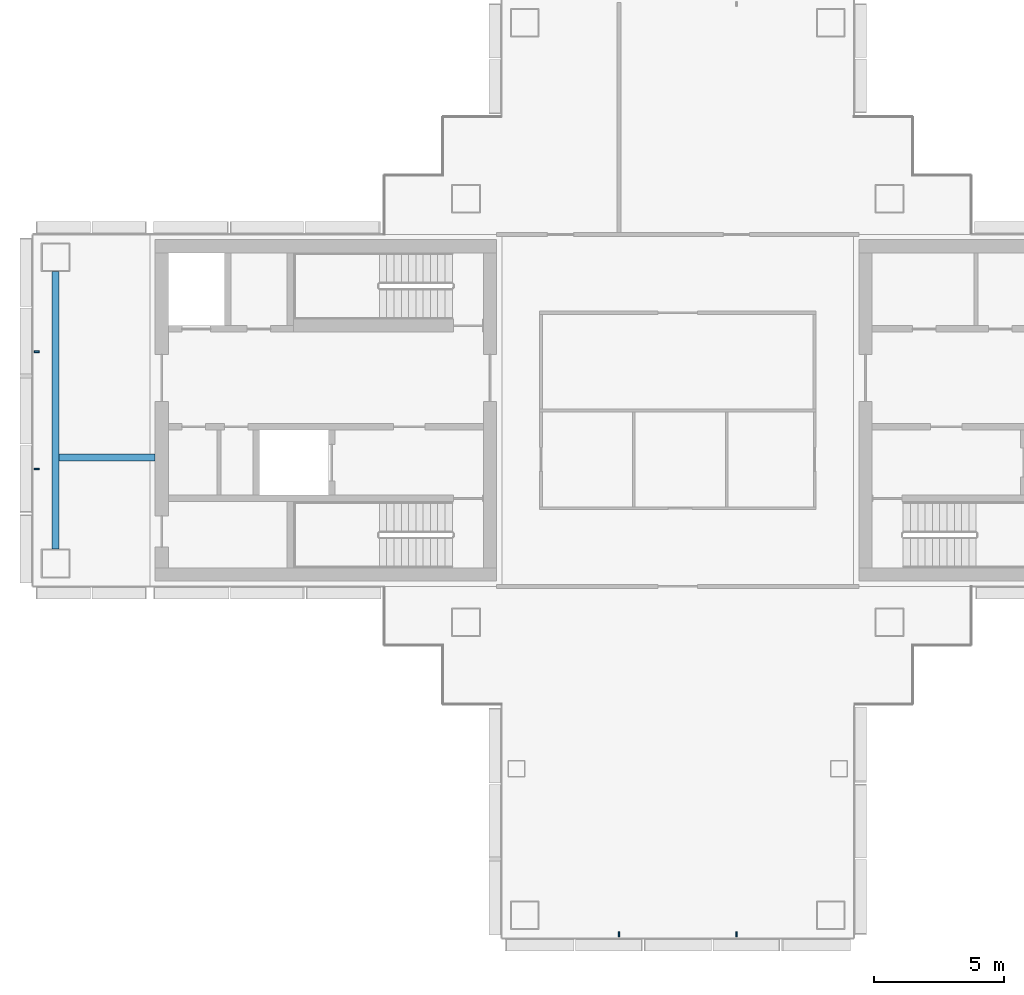
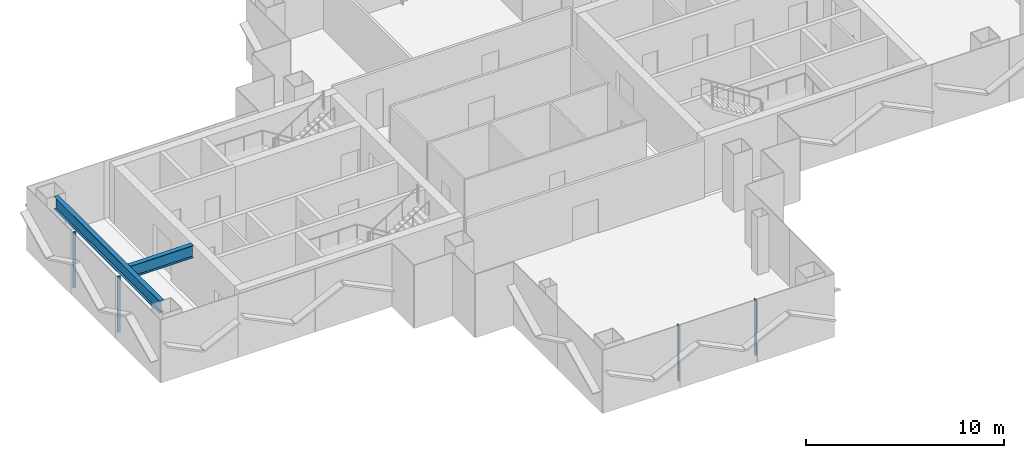
# One storey, part 3 of 16: 4 members, 2 beams, 2 elements without a shape of their own.
"""IFC4 building model written with IfcOpenShell, lengths in metres."""

import ifcopenshell
import ifcopenshell.guid

model = None  # the IFC model being written
_history = None  # IfcOwnerHistory: only IFC2X3 demands one
_inside = {}  # id of a spatial element -> (the spatial element, [elements in it])
_under = {}  # id of a project, library or spatial element -> (it, [spatial elements below it])
_declared = {}  # id of a project -> (the project, [libraries it declares])
_typed = {}  # id of a type object -> (the type object, [elements of that type])
_made_of = {}  # id of a material, layer set ... -> (it, [elements and type objects made of it])


def new_model(schema):
    """Start an empty IFC model of exactly this schema.

    Asked for "IFC4X3", IfcOpenShell would pick the latest addendum, in which some entities
    have other attributes; the version numbers below select the first issue.
    IFC2X3 requires an IfcOwnerHistory on every rooted entity: one is made here for all.
    """
    global model, _history
    if schema == "IFC4X3":
        model = ifcopenshell.file(schema_version=(4, 3, 0, 0))
    else:
        model = ifcopenshell.file(schema=schema)
    _inside.clear()
    _under.clear()
    _declared.clear()
    _typed.clear()
    _made_of.clear()
    _history = None
    if model.schema == "IFC2X3":
        org = make("IfcOrganization", Name="unknown")
        user = make(
            "IfcPersonAndOrganization",
            ThePerson=make("IfcPerson", FamilyName="unknown"),
            TheOrganization=org,
        )
        app = make(
            "IfcApplication",
            ApplicationDeveloper=org,
            Version="unknown",
            ApplicationFullName="unknown",
            ApplicationIdentifier="unknown",
        )
        _history = make(
            "IfcOwnerHistory",
            OwningUser=user,
            OwningApplication=app,
            ChangeAction="ADDED",
            CreationDate=0,
        )
    return model


def make(cls, **values):
    """One entity of the class cls with the attributes given. An attribute that is None is left unset."""
    return model.create_entity(
        cls, **{name: value for name, value in values.items() if value is not None}
    )


def rooted(cls, **values):
    """An entity with a GlobalId (a new one), such as an element, a storey or a relation."""
    return make(cls, GlobalId=ifcopenshell.guid.new(), OwnerHistory=_history, **values)


def si_unit(unit_type, name, prefix=None):
    """IfcSIUnit, for example si_unit("LENGTHUNIT", "METRE", prefix="MILLI")."""
    return make("IfcSIUnit", UnitType=unit_type, Prefix=prefix, Name=name)


def assignment(units):
    """IfcUnitAssignment: the units of a project."""
    return None if units is None else make("IfcUnitAssignment", Units=units)


def point(xyz):
    """IfcCartesianPoint."""
    return None if xyz is None else make("IfcCartesianPoint", Coordinates=xyz)


def direction(xyz):
    """IfcDirection."""
    return None if xyz is None else make("IfcDirection", DirectionRatios=xyz)


def frame(location, z_axis=None, x_axis=None):
    """IfcAxis2Placement3D, a coordinate frame: its origin and axes. An axis left out is left unset."""
    return make(
        "IfcAxis2Placement3D",
        Location=point(location),
        Axis=direction(z_axis),
        RefDirection=direction(x_axis),
    )


def frame_2d(location, x_axis=None):
    """IfcAxis2Placement2D, a coordinate frame in the plane: its origin and x axis."""
    return make(
        "IfcAxis2Placement2D", Location=point(location), RefDirection=direction(x_axis)
    )


def origin():
    """The frame at (0, 0, 0) with its axes left unset."""
    return frame((0.0, 0.0, 0.0))


def origin_2d():
    """The frame at (0, 0) in the plane with its x axis left unset."""
    return frame_2d((0.0, 0.0))


def place(relative_to, where):
    """IfcLocalPlacement: puts the frame where relative to a parent placement (None: the world)."""
    return make(
        "IfcLocalPlacement", PlacementRelTo=relative_to, RelativePlacement=where
    )


def context(
    kind, dimensions, precision=None, world=None, true_north=None, identifier=None
):
    """IfcGeometricRepresentationContext, for example the 3D "Model" context."""
    return make(
        "IfcGeometricRepresentationContext",
        ContextIdentifier=identifier,
        ContextType=kind,
        CoordinateSpaceDimension=dimensions,
        Precision=precision,
        WorldCoordinateSystem=world,
        TrueNorth=true_north,
    )


def subcontext(parent, identifier, kind, view, scale=None):
    """IfcGeometricRepresentationSubContext, for example "Body" below "Model"."""
    return make(
        "IfcGeometricRepresentationSubContext",
        ContextIdentifier=identifier,
        ContextType=kind,
        ParentContext=parent,
        TargetScale=scale,
        TargetView=view,
    )


def project(units=None, contexts=None):
    """IfcProject with its units and contexts."""
    return rooted(
        "IfcProject",
        Name="project",
        RepresentationContexts=contexts,
        UnitsInContext=assignment(units),
    )


def spatial(cls, under=None, at=None, **own):
    """A site, building, storey or space (cls), placed at a placement, below another one or the project."""
    s = rooted(cls, ObjectPlacement=at, **own)
    if under is not None:
        _under.setdefault(under.id(), (under, []))[1].append(s)
    return s


def profile(cls, at=None, kind="AREA", **sizes):
    """A parametric profile (cls). Its sizes go by their IFC names, for example OverallWidth=200.0."""
    return make(cls, ProfileType=kind, Position=at, **sizes)


def rectangle(**sizes):
    """IfcRectangleProfileDef."""
    return profile("IfcRectangleProfileDef", **sizes)


def i_section(**sizes):
    """IfcIShapeProfileDef."""
    return profile("IfcIShapeProfileDef", **sizes)


def extrude(swept, where, along, depth):
    """IfcExtrudedAreaSolid: the profile swept, set in the frame where, extruded along a direction by depth."""
    return make(
        "IfcExtrudedAreaSolid",
        SweptArea=swept,
        Position=where,
        ExtrudedDirection=direction(along),
        Depth=depth,
    )


def shape(context_of_items, identifier, shape_type, items):
    """IfcShapeRepresentation: the items that make up one representation, for example the "Body"."""
    return make(
        "IfcShapeRepresentation",
        ContextOfItems=context_of_items,
        RepresentationIdentifier=identifier,
        RepresentationType=shape_type,
        Items=items,
    )


def material(Name=None, Category=None):
    """IfcMaterial."""
    return make("IfcMaterial", Name=Name, Category=Category)


def layer(
    of_material, thickness, ventilated=None, Name=None, Category=None, Priority=None
):
    """IfcMaterialLayer: one layer of a wall or slab, of a material (None: an air gap)."""
    return make(
        "IfcMaterialLayer",
        Material=of_material,
        LayerThickness=thickness,
        IsVentilated=ventilated,
        Name=Name,
        Category=Category,
        Priority=Priority,
    )


def layer_set(layers, Name=None):
    """IfcMaterialLayerSet."""
    return make("IfcMaterialLayerSet", MaterialLayers=layers, LayerSetName=Name)


def material_profile(
    of_material, cross_section, Name=None, Category=None, Priority=None
):
    """IfcMaterialProfile: a cross section and its material."""
    return make(
        "IfcMaterialProfile",
        Name=Name,
        Material=of_material,
        Profile=cross_section,
        Priority=Priority,
        Category=Category,
    )


def profile_set(profiles, Name=None, composite=None):
    """IfcMaterialProfileSet."""
    return make(
        "IfcMaterialProfileSet",
        Name=Name,
        MaterialProfiles=profiles,
        CompositeProfile=composite,
    )


def made_of(thing, what):
    """Note that an element or type object is made of a material, layer set ...; save() writes the relation."""
    if what is not None:
        _made_of.setdefault(what.id(), (what, []))[1].append(thing)
    return thing


def type_object(cls, material=None, **own):
    """A type object (cls), such as IfcWallType, which elements share."""
    return made_of(rooted(cls, **own), material)


def element(
    cls,
    number,
    at=None,
    inside=None,
    cuts=None,
    type_object=None,
    material=None,
    context=None,
    identifier="Body",
    shape_type=None,
    held_by="IfcProductDefinitionShape",
    body=None,
    shapes=None,
    **own,
):
    """One element of the class cls, such as IfcWall. Its Tag is "e" and its number.

    at: its placement. inside: the storey or other place that contains it. cuts: it is an
    opening in that element (IfcRelVoidsElement). A single representation is given by context,
    identifier, shape_type and body (its items); several are given by shapes. held_by: the class
    of the entity that holds the representations. save() writes the other relations.
    """
    e = rooted(cls, Tag="e%d" % number, ObjectPlacement=at, **own)
    if body is not None:
        shapes = [shape(context, identifier, shape_type, body)]
    if shapes is not None:
        e.Representation = make(held_by, Representations=shapes)
    if inside is not None:
        _inside.setdefault(inside.id(), (inside, []))[1].append(e)
    if cuts is not None:
        rooted(
            "IfcRelVoidsElement", RelatingBuildingElement=cuts, RelatedOpeningElement=e
        )
    if type_object is not None:
        _typed.setdefault(type_object.id(), (type_object, []))[1].append(e)
    return made_of(e, material)


def aggregate(whole, parts):
    """IfcRelAggregates: a whole, such as a stair, and the parts it consists of."""
    return rooted("IfcRelAggregates", RelatingObject=whole, RelatedObjects=parts)


def save(model, path):
    """Write the relations noted so far, then the file.

    IfcRelAggregates (storeys below a building ...), IfcRelContainedInSpatialStructure (elements
    in a storey), IfcRelDefinesByType, IfcRelAssociatesMaterial and IfcRelDeclares: one each for
    every whole, place, type object, material and project.
    """
    for whole, parts in _under.values():
        aggregate(whole, parts)
    for where, things in _inside.values():
        rooted(
            "IfcRelContainedInSpatialStructure",
            RelatedElements=things,
            RelatingStructure=where,
        )
    for kind, things in _typed.values():
        rooted("IfcRelDefinesByType", RelatedObjects=things, RelatingType=kind)
    for what, things in _made_of.values():
        rooted("IfcRelAssociatesMaterial", RelatedObjects=things, RelatingMaterial=what)
    for by, libraries in _declared.values():
        rooted("IfcRelDeclares", RelatingContext=by, RelatedDefinitions=libraries)
    model.write(path)


model = new_model("IFC4")

# Units and contexts
model_context = context("Model", 3, precision=1e-05, world=origin(), true_north=direction((0.0, 1.0)))
body_context = subcontext(model_context, "Body", "Model", "MODEL_VIEW")
ifc_project = project(units=[si_unit("LENGTHUNIT", "METRE"), si_unit("AREAUNIT", "SQUARE_METRE"), si_unit("VOLUMEUNIT", "CUBIC_METRE"), si_unit("PLANEANGLEUNIT", "RADIAN"), si_unit("MASSUNIT", "GRAM", prefix="KILO")], contexts=[model_context])

# Site, building, storey
site_placement = place(None, origin())
site = spatial("IfcSite", under=ifc_project, at=site_placement, CompositionType="ELEMENT")
building_placement = place(site_placement, origin())
building = spatial("IfcBuilding", under=site, at=building_placement, Name="Shamsa Quay Exchange Towers", CompositionType="ELEMENT")
storey_placement = place(building_placement, frame((0.0, 0.0, 162.300048828125)))
storey = spatial("IfcBuildingStorey", under=building, at=storey_placement, Name="L38", CompositionType="ELEMENT", Elevation=162.300048828125)

# Curtain wall, members
ifc_material_1 = material(Name="Aluminium EN AW-6063 T6, black anodised", Category="aluminium")
ifc_layer = layer(ifc_material_1, 0.280029296875)
ifc_layer_set = layer_set([ifc_layer], Name="CW-1 UNITISED VISION GLASS")
curtain_wall_type = type_object("IfcCurtainWallType", Name="CW-1 UNITISED VISION GLASS", PredefinedType="NOTDEFINED", material=ifc_layer_set)
curtain_wall_1_placement = place(storey_placement, origin())
curtain_wall_1 = element("IfcCurtainWall", 1, at=curtain_wall_1_placement, inside=storey, type_object=curtain_wall_type, Name="CW1 T1-END-V- L38", PredefinedType="NOTDEFINED")
ifc_material_profile_1 = material_profile(ifc_material_1, rectangle(XDim=0.179931640625, YDim=0.06005859375, at=origin_2d()), Name="MU60x180")
ifc_profile_set_1 = profile_set([ifc_material_profile_1], Name="Aluminium EN AW-6063 T6, black anodised")
member_type = type_object("IfcMemberType", Name="CW1 MULLION 60x180", PredefinedType="MULLION", material=ifc_profile_set_1)
member_1_placement = place(storey_placement, frame((-36.0, -20.10009765625, 0.0), z_axis=(0.0, 0.0, 1.0), x_axis=(0.0, 1.0, 0.0)))
member_1 = element("IfcMember", 2, at=member_1_placement, type_object=member_type, Name="CW1 mullion", PredefinedType="MULLION", context=body_context, shape_type="SweptSolid", body=[
    extrude(rectangle(XDim=0.179931640625, YDim=0.06005859375, at=origin_2d()), origin(), (0.0, 0.0, 1.0), 3.449951171875),
])
member_2_placement = place(storey_placement, frame((-31.5, -20.10009765625, 0.0), z_axis=(0.0, 0.0, 1.0), x_axis=(0.0, 1.0, 0.0)))
member_2 = element("IfcMember", 3, at=member_2_placement, type_object=member_type, Name="CW1 mullion", PredefinedType="MULLION", context=body_context, shape_type="SweptSolid", body=[
    extrude(rectangle(XDim=0.179931640625, YDim=0.06005859375, at=origin_2d()), origin(), (0.0, 0.0, 1.0), 3.449951171875),
])
aggregate(curtain_wall_1, [member_1, member_2])

curtain_wall_2_placement = place(storey_placement, origin())
curtain_wall_2 = element("IfcCurtainWall", 4, at=curtain_wall_2_placement, inside=storey, type_object=curtain_wall_type, Name="CW1 T1-END-U- L38", PredefinedType="NOTDEFINED")
member_3_placement = place(storey_placement, frame((-58.35009765625, 2.25, 0.0)))
member_3 = element("IfcMember", 5, at=member_3_placement, type_object=member_type, Name="CW1 mullion", PredefinedType="MULLION", context=body_context, shape_type="SweptSolid", body=[
    extrude(rectangle(XDim=0.179931640625, YDim=0.06005859375, at=origin_2d()), origin(), (0.0, 0.0, 1.0), 3.449951171875),
])
member_4_placement = place(storey_placement, frame((-58.35009765625, -2.25, 0.0)))
member_4 = element("IfcMember", 6, at=member_4_placement, type_object=member_type, Name="CW1 mullion", PredefinedType="MULLION", context=body_context, shape_type="SweptSolid", body=[
    extrude(rectangle(XDim=0.179931640625, YDim=0.06005859375, at=origin_2d()), origin(), (0.0, 0.0, 1.0), 3.449951171875),
])
aggregate(curtain_wall_2, [member_3, member_4])

# Beams
ifc_material_2 = material(Name="Steel S355", Category="steel")
ifc_material_profile_2 = material_profile(ifc_material_2, i_section(OverallWidth=0.26611328125, OverallDepth=0.7578125, WebThickness=0.013916015625, FlangeThickness=0.019287109375, at=origin_2d()), Name="W30x108")
ifc_profile_set_2 = profile_set([ifc_material_profile_2], Name="Steel S355")
beam_type = type_object("IfcBeamType", Name="End-zone beam W30x108", PredefinedType="BEAM", material=ifc_profile_set_2)
beam_1_placement = place(storey_placement, frame((-57.625, -5.324951171875, 3.171142578125), z_axis=(0.0, 1.0, 0.0), x_axis=(-1.0, 0.0, 0.0)))
element("IfcBeam", 7, at=beam_1_placement, inside=storey, type_object=beam_type, Name="End beam T1 U- end zone L38", PredefinedType="BEAM", context=body_context, shape_type="SweptSolid", body=[
    extrude(i_section(OverallWidth=0.26611328125, OverallDepth=0.7578125, WebThickness=0.013916015625, FlangeThickness=0.019287109375, at=origin_2d()), origin(), (0.0, 0.0, 1.0), 10.64990234375),
])
beam_2_placement = place(storey_placement, frame((-53.800048828125, -1.800048828125, 3.171142578125), z_axis=(-1.0, 0.0, 0.0), x_axis=(0.0, -1.0, 0.0)))
element("IfcBeam", 8, at=beam_2_placement, inside=storey, type_object=beam_type, Name="Spine beam T1 U- end zone L38", PredefinedType="BEAM", context=body_context, shape_type="SweptSolid", body=[
    extrude(i_section(OverallWidth=0.26611328125, OverallDepth=0.7578125, WebThickness=0.013916015625, FlangeThickness=0.019287109375, at=origin_2d()), origin(), (0.0, 0.0, 1.0), 3.69189453125),
])

save(model, "model.ifc")
